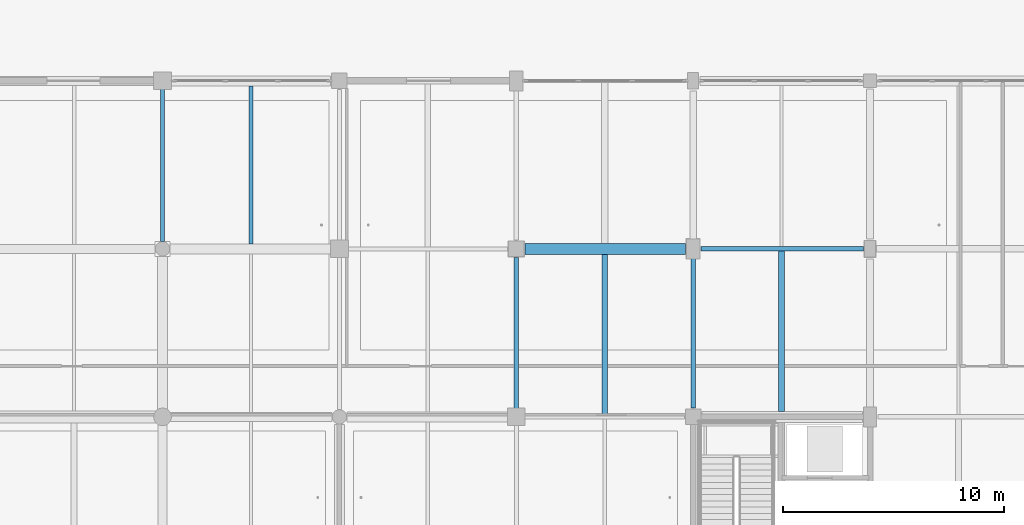
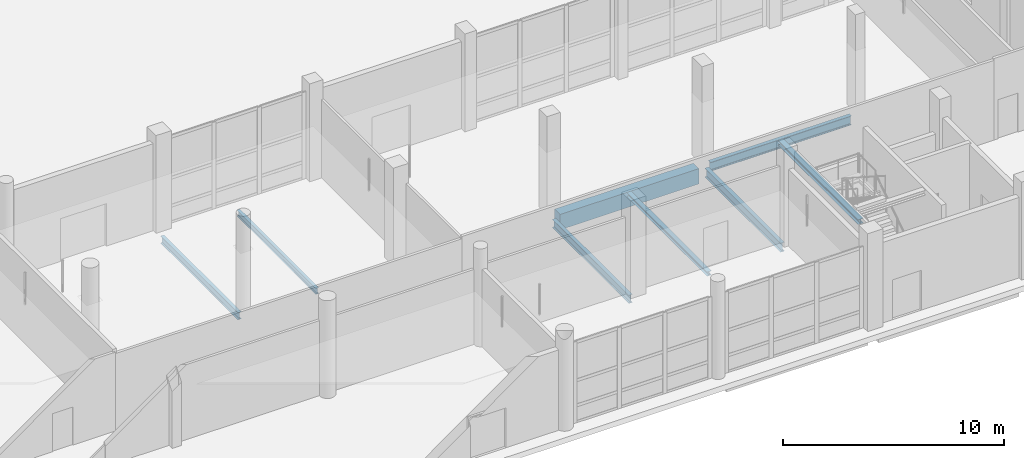
# One storey, part 23 of 126: 8 beams.
"""IFC4 building model written with IfcOpenShell, lengths in metres."""

from ifc_helpers import new_model, si_unit, direction, frame, origin, origin_2d, place, context, subcontext, project, spatial, rectangle, i_section, extrude, material, material_profile, profile_set, type_object, element, save


model = new_model("IFC4")

# Units and contexts
model_context = context("Model", 3, precision=1e-05, world=origin(), true_north=direction((0.0, 1.0)))
body_context = subcontext(model_context, "Body", "Model", "MODEL_VIEW")
ifc_project = project(units=[si_unit("LENGTHUNIT", "METRE"), si_unit("AREAUNIT", "SQUARE_METRE"), si_unit("VOLUMEUNIT", "CUBIC_METRE"), si_unit("PLANEANGLEUNIT", "RADIAN"), si_unit("MASSUNIT", "GRAM", prefix="KILO")], contexts=[model_context])

# Site, building, storey
site_placement = place(None, origin())
site = spatial("IfcSite", under=ifc_project, at=site_placement, CompositionType="ELEMENT")
building_placement = place(site_placement, origin())
building = spatial("IfcBuilding", under=site, at=building_placement, Name="Khelvaren Railside Concert Hall", CompositionType="ELEMENT")
storey_placement = place(building_placement, origin())
storey = spatial("IfcBuildingStorey", under=building, at=storey_placement, Name="L00", CompositionType="ELEMENT", Elevation=0.0)

# Beams
ifc_material_1 = material(Name="Steel S355", Category="steel")
ifc_material_profile_1 = material_profile(ifc_material_1, i_section(OverallWidth=0.179931640625, OverallDepth=0.39990234375, WebThickness=0.008544921875, FlangeThickness=0.013427734375, FilletRadius=0.02099609375, at=origin_2d()), Name="IPE 400")
ifc_profile_set_1 = profile_set([ifc_material_profile_1], Name="Steel S355")
beam_type_1 = type_object("IfcBeamType", Name="BM29", PredefinedType="BEAM", material=ifc_profile_set_1)
beam_1_placement = place(storey_placement, frame((96.0, 15.535888671875, -0.52001953125), z_axis=(0.0, 1.0, 0.0), x_axis=(-1.0, 0.0, 0.0)))
element("IfcBeam", 1, at=beam_1_placement, inside=storey, type_object=beam_type_1, Name="V3 L00 Beam Y5.3", PredefinedType="BEAM", context=body_context, shape_type="SweptSolid", body=[
    extrude(i_section(OverallWidth=0.179931640625, OverallDepth=0.39990234375, WebThickness=0.008544921875, FlangeThickness=0.013427734375, FilletRadius=0.02099609375, at=origin_2d()), origin(), (0.0, 0.0, 1.0), 6.9912109375),
])
ifc_material_profile_2 = material_profile(ifc_material_1, i_section(OverallWidth=0.199951171875, OverallDepth=0.5, WebThickness=0.01025390625, FlangeThickness=0.01611328125, FilletRadius=0.02099609375, at=origin_2d()), Name="IPE 500")
ifc_profile_set_2 = profile_set([ifc_material_profile_2], Name="Steel S355")
beam_type_2 = type_object("IfcBeamType", Name="BM62", PredefinedType="BEAM", material=ifc_profile_set_2)
beam_2_placement = place(storey_placement, frame((120.35009765625, 15.199951171875, -0.570068359375), z_axis=(1.0, 0.0, 0.0), x_axis=(0.0, 1.0, 0.0)))
element("IfcBeam", 2, at=beam_2_placement, inside=storey, type_object=beam_type_2, Name="V3 L00 Beam X3.8", PredefinedType="BEAM", context=body_context, shape_type="SweptSolid", body=[
    extrude(i_section(OverallWidth=0.199951171875, OverallDepth=0.5, WebThickness=0.01025390625, FlangeThickness=0.01611328125, FilletRadius=0.02099609375, at=origin_2d()), origin(), (0.0, 0.0, 1.0), 7.349853515625),
])
beam_3_placement = place(storey_placement, frame((120.0, 8.0, -0.570068359375), z_axis=(0.0, 1.0, 0.0), x_axis=(-1.0, 0.0, 0.0)))
element("IfcBeam", 3, at=beam_3_placement, inside=storey, type_object=beam_type_2, Name="V3 L00 Beam Y8.2", PredefinedType="BEAM", context=body_context, shape_type="SweptSolid", body=[
    extrude(i_section(OverallWidth=0.199951171875, OverallDepth=0.5, WebThickness=0.01025390625, FlangeThickness=0.01611328125, FilletRadius=0.02099609375, at=origin_2d()), origin(), (0.0, 0.0, 1.0), 6.85009765625),
])
ifc_material_profile_3 = material_profile(ifc_material_1, i_section(OverallWidth=0.18994140625, OverallDepth=0.449951171875, WebThickness=0.009521484375, FlangeThickness=0.0146484375, FilletRadius=0.02099609375, at=origin_2d()), Name="IPE 450")
ifc_profile_set_3 = profile_set([ifc_material_profile_3], Name="Steel S355")
beam_type_3 = type_object("IfcBeamType", Name="BM95", PredefinedType="BEAM", material=ifc_profile_set_3)
beam_4_placement = place(storey_placement, frame((112.0, 7.873046875, -0.544921875), z_axis=(0.0, 1.0, 0.0), x_axis=(-1.0, 0.0, 0.0)))
element("IfcBeam", 4, at=beam_4_placement, inside=storey, type_object=beam_type_3, Name="V3 L00 Beam Y7.2", PredefinedType="BEAM", context=body_context, shape_type="SweptSolid", body=[
    extrude(i_section(OverallWidth=0.18994140625, OverallDepth=0.449951171875, WebThickness=0.009521484375, FlangeThickness=0.0146484375, FilletRadius=0.02099609375, at=origin_2d()), origin(), (0.0, 0.0, 1.0), 6.927001953125),
])
ifc_material_2 = material(Name="Concrete C40/50", Category="concrete")
ifc_material_profile_4 = material_profile(ifc_material_2, rectangle(XDim=0.5, YDim=0.85009765625, at=origin_2d()), Name="RCB 500x850")
ifc_profile_set_4 = profile_set([ifc_material_profile_4], Name="Concrete C40/50")
beam_type_4 = type_object("IfcBeamType", Name="GR96", PredefinedType="T_BEAM", material=ifc_profile_set_4)
beam_5_placement = place(storey_placement, frame((112.39990234375, 15.199951171875, -0.7451171875), z_axis=(1.0, 0.0, 0.0), x_axis=(0.0, 1.0, 0.0)))
element("IfcBeam", 5, at=beam_5_placement, inside=storey, type_object=beam_type_4, Name="V3 L00 T_Beam X3.7", PredefinedType="T_BEAM", context=body_context, shape_type="SweptSolid", body=[
    extrude(rectangle(XDim=0.5, YDim=0.85009765625, at=origin_2d()), origin(), (0.0, 0.0, 1.0), 7.25),
])
ifc_material_profile_5 = material_profile(ifc_material_1, i_section(OverallWidth=0.280029296875, OverallDepth=0.27001953125, WebThickness=0.008056640625, FlangeThickness=0.012939453125, FilletRadius=0.02392578125, at=origin_2d()), Name="HEA 280")
ifc_profile_set_5 = profile_set([ifc_material_profile_5], Name="Steel S355")
beam_type_5 = type_object("IfcBeamType", Name="JS46", PredefinedType="JOIST", material=ifc_profile_set_5)
beam_6_placement = place(storey_placement, frame((124.0, 7.85009765625, -0.455078125), z_axis=(0.0, 1.0, 0.0), x_axis=(-1.0, 0.0, 0.0)))
element("IfcBeam", 6, at=beam_6_placement, inside=storey, type_object=beam_type_5, Name="V3 L00 Secondary Joist 8.2", PredefinedType="JOIST", context=body_context, shape_type="SweptSolid", body=[
    extrude(i_section(OverallWidth=0.280029296875, OverallDepth=0.27001953125, WebThickness=0.008056640625, FlangeThickness=0.012939453125, FilletRadius=0.02392578125, at=origin_2d()), origin(), (0.0, 0.0, 1.0), 7.25),
])
ifc_material_profile_6 = material_profile(ifc_material_1, i_section(OverallWidth=0.159912109375, OverallDepth=0.330078125, WebThickness=0.007568359375, FlangeThickness=0.011474609375, FilletRadius=0.01806640625, at=origin_2d()), Name="IPE 330")
ifc_profile_set_6 = profile_set([ifc_material_profile_6], Name="Steel S355")
beam_type_6 = type_object("IfcBeamType", Name="JS65", PredefinedType="JOIST", material=ifc_profile_set_6)
beam_7_placement = place(storey_placement, frame((100.0, 15.425048828125, -0.485107421875), z_axis=(0.0, 1.0, 0.0), x_axis=(-1.0, 0.0, 0.0)))
element("IfcBeam", 7, at=beam_7_placement, inside=storey, type_object=beam_type_6, Name="V3 L00 Secondary Joist 5.3", PredefinedType="JOIST", context=body_context, shape_type="SweptSolid", body=[
    extrude(i_section(OverallWidth=0.159912109375, OverallDepth=0.330078125, WebThickness=0.007568359375, FlangeThickness=0.011474609375, FilletRadius=0.01806640625, at=origin_2d()), origin(), (0.0, 0.0, 1.0), 7.14990234375),
])
ifc_material_profile_7 = material_profile(ifc_material_1, i_section(OverallWidth=0.239990234375, OverallDepth=0.22998046875, WebThickness=0.007568359375, FlangeThickness=0.011962890625, FilletRadius=0.02099609375, at=origin_2d()), Name="HEA 240")
ifc_profile_set_7 = profile_set([ifc_material_profile_7], Name="Steel S355")
beam_type_7 = type_object("IfcBeamType", Name="JS76", PredefinedType="JOIST", material=ifc_profile_set_7)
beam_8_placement = place(storey_placement, frame((116.0, 7.68994140625, -0.43505859375), z_axis=(0.0, 1.0, 0.0), x_axis=(-1.0, 0.0, 0.0)))
element("IfcBeam", 8, at=beam_8_placement, inside=storey, type_object=beam_type_7, Name="V3 L00 Secondary Joist 7.2", PredefinedType="JOIST", context=body_context, shape_type="SweptSolid", body=[
    extrude(i_section(OverallWidth=0.239990234375, OverallDepth=0.22998046875, WebThickness=0.007568359375, FlangeThickness=0.011962890625, FilletRadius=0.02099609375, at=origin_2d()), origin(), (0.0, 0.0, 1.0), 7.260009765625),
])

save(model, "model.ifc")
